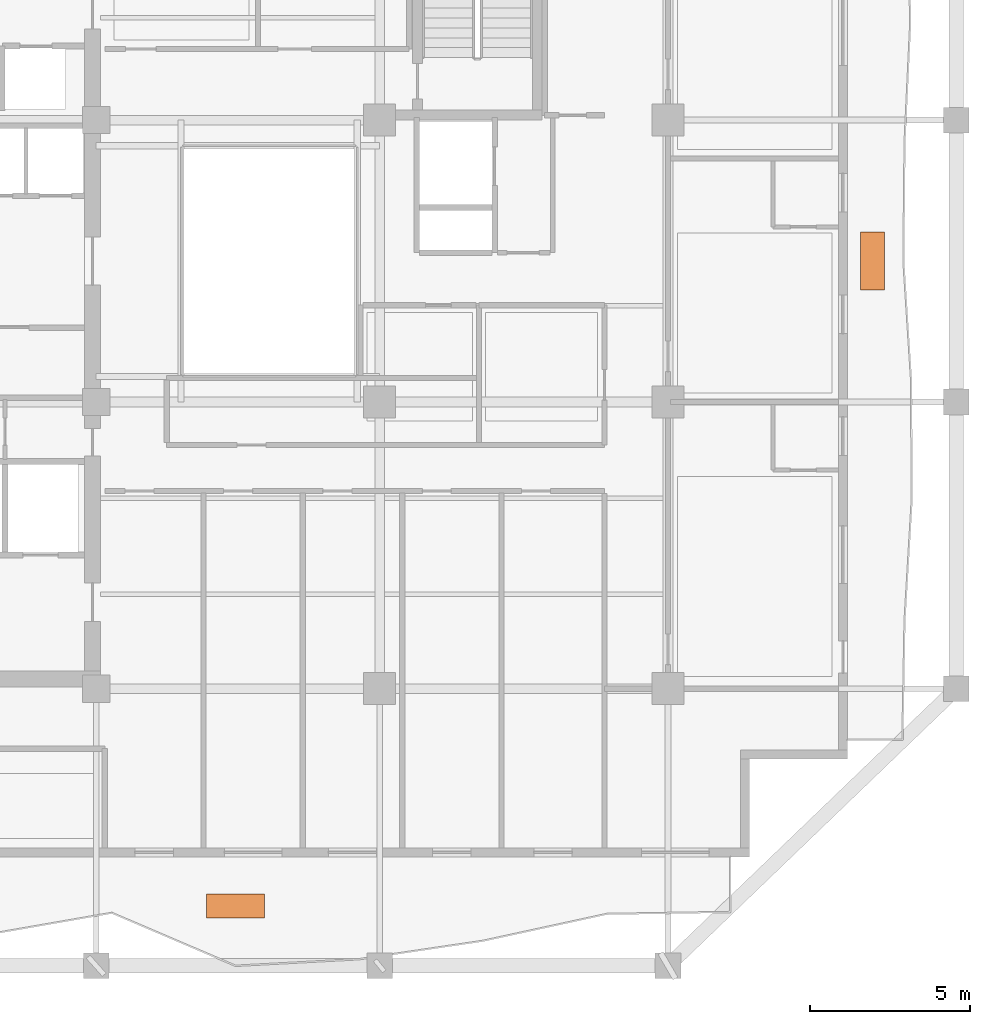
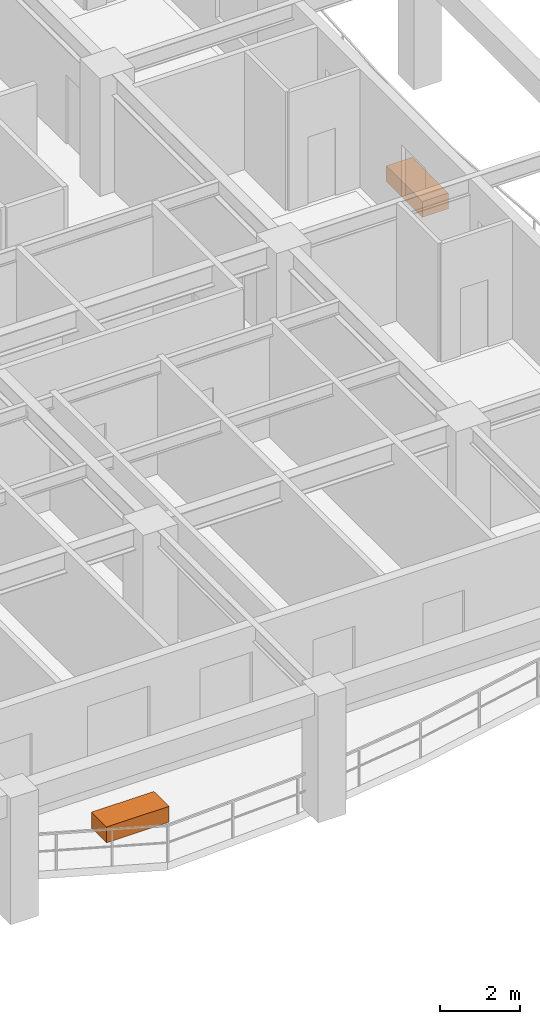
# One storey, part 11 of 11: 2 proxies.
"""IFC4 building model written with IfcOpenShell, lengths in metres."""

from ifc_helpers import new_model, si_unit, direction, frame, origin, origin_2d, place, context, subcontext, project, spatial, rectangle, extrude, material, type_object, element, save


model = new_model("IFC4")

# Units and contexts
model_context = context("Model", 3, precision=1e-05, world=origin(), true_north=direction((0.0, 1.0)))
body_context = subcontext(model_context, "Body", "Model", "MODEL_VIEW")
ifc_project = project(units=[si_unit("LENGTHUNIT", "METRE"), si_unit("AREAUNIT", "SQUARE_METRE"), si_unit("VOLUMEUNIT", "CUBIC_METRE"), si_unit("PLANEANGLEUNIT", "RADIAN"), si_unit("MASSUNIT", "GRAM", prefix="KILO")], contexts=[model_context])

# Site, building, storey
site_placement = place(None, origin())
site = spatial("IfcSite", under=ifc_project, at=site_placement, CompositionType="ELEMENT")
building_placement = place(site_placement, origin())
building = spatial("IfcBuilding", under=site, at=building_placement, Name="Kundavana Baori Tower", CompositionType="ELEMENT")
storey_placement = place(building_placement, frame((0.0, 0.0, 142.5)))
storey = spatial("IfcBuildingStorey", under=building, at=storey_placement, Name="L34", CompositionType="ELEMENT", Elevation=142.5)

# Proxies
ifc_material = material(Name="Red-Buff Dholpur Sandstone Cladding on Concrete C40/50", Category="masonry")
building_element_proxy_type = type_object("IfcBuildingElementProxyType", Name="PRX-PLANTER-1800", PredefinedType="USERDEFINED", material=ifc_material)
for number, where, z_axis, x_axis, name in (
    (1, (29.300048828125, 8.469970703125, 0.0), (0.0, 0.0, 1.0), (1.0, 0.0, 0.0), "L34 Dholpur Stone Structural Tree Planter S"),
    (2, (49.18798828125, 28.60009765625, 0.0), (0.0, 0.0, 1.0), (0.0, 1.0, 0.0), "L34 Dholpur Stone Structural Tree Planter E"),
):
    element("IfcBuildingElementProxy", number, at=place(storey_placement, frame(where, z_axis=z_axis, x_axis=x_axis)), inside=storey, type_object=building_element_proxy_type, Name=name, ObjectType="PLANTER", PredefinedType="USERDEFINED", context=body_context, shape_type="SweptSolid", body=[
        extrude(rectangle(XDim=1.800048828125, YDim=0.75, at=origin_2d()), origin(), (0.0, 0.0, 1.0), 0.47998046875),
    ])

save(model, "model.ifc")
